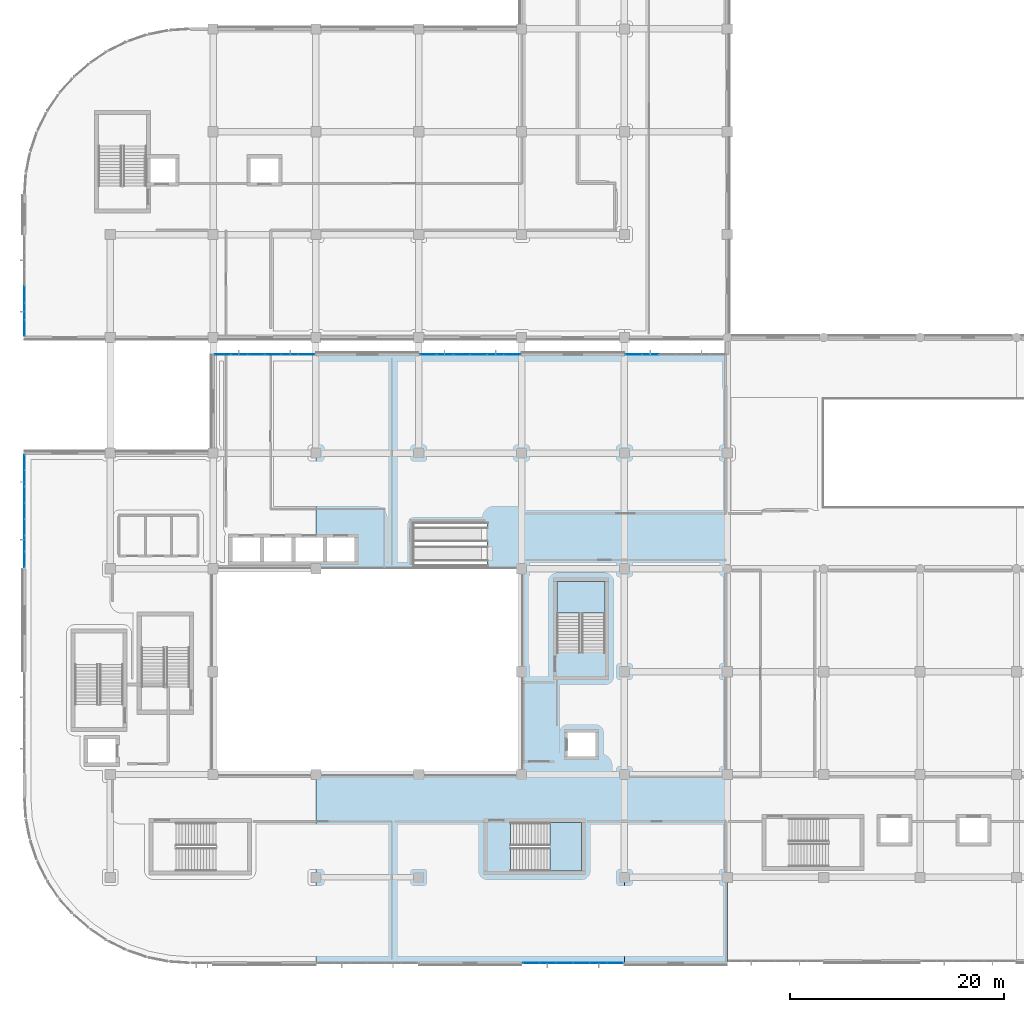
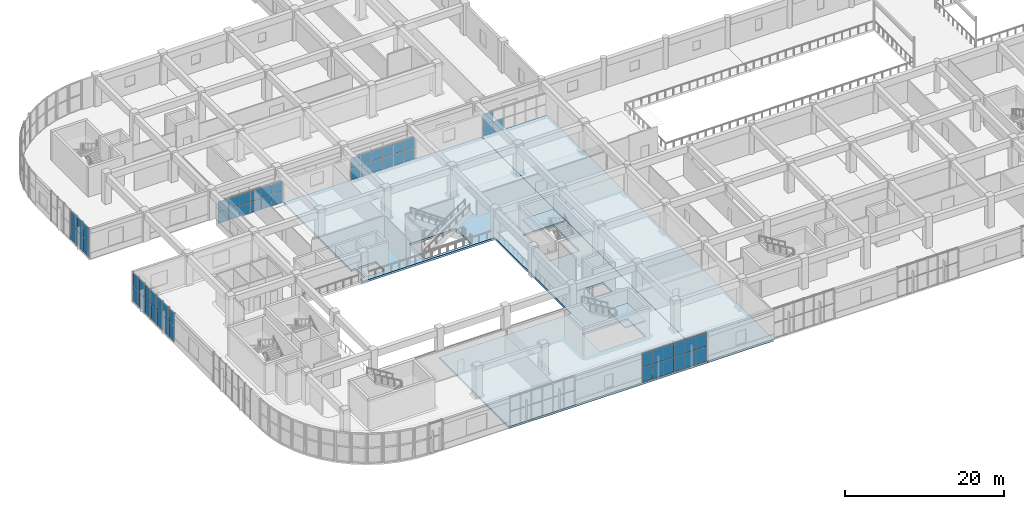
# One storey, part 44 of 86: 59 plates, 4 slabs, 8 elements without a shape of their own.
"""IFC4 building model written with IfcOpenShell, lengths in metres."""

from ifc_helpers import new_model, si_unit, direction, frame, origin, origin_2d, place, context, subcontext, project, spatial, polyline, rectangle, outline, extrude, material, layer, layer_set, type_object, element, aggregate, save


model = new_model("IFC4")

# Units and contexts
model_context = context("Model", 3, precision=1e-05, world=origin(), true_north=direction((0.0, 1.0)))
body_context = subcontext(model_context, "Body", "Model", "MODEL_VIEW")
ifc_project = project(units=[si_unit("LENGTHUNIT", "METRE"), si_unit("AREAUNIT", "SQUARE_METRE"), si_unit("VOLUMEUNIT", "CUBIC_METRE"), si_unit("PLANEANGLEUNIT", "RADIAN"), si_unit("MASSUNIT", "GRAM", prefix="KILO")], contexts=[model_context])

# Site, building, storey
site_placement = place(None, origin())
site = spatial("IfcSite", under=ifc_project, at=site_placement, CompositionType="ELEMENT")
building_placement = place(site_placement, origin())
building = spatial("IfcBuilding", under=site, at=building_placement, Name="Cendralis Terraced Arcade", CompositionType="ELEMENT")
storey_placement = place(building_placement, frame((0.0, 0.0, 5.39990234375)))
storey = spatial("IfcBuildingStorey", under=building, at=storey_placement, Name="L01", CompositionType="ELEMENT", Elevation=5.39990234375)

# Curtain wall, plates
ifc_material_1 = material(Name="Anodised aluminium EN AW-6063 T6", Category="aluminium")
ifc_layer_1 = layer(ifc_material_1, 0.1201171875, Name="CW-STORE-B")
ifc_layer_set_1 = layer_set([ifc_layer_1], Name="Anodised aluminium EN AW-6063 T6")
curtain_wall_type = type_object("IfcCurtainWallType", Name="CW-STORE-B", PredefinedType="USERDEFINED", material=ifc_layer_set_1)
curtain_wall_1_placement = place(storey_placement, origin())
curtain_wall_1 = element("IfcCurtainWall", 1, at=curtain_wall_1_placement, inside=storey, type_object=curtain_wall_type, Name="Exterior Storefront Glazing CW-L01-0037", ObjectType="STOREFRONT GLAZING", PredefinedType="USERDEFINED")
ifc_material_2 = material(Name="Tempered solar control laminated glass", Category="glass")
ifc_layer_2 = layer(ifc_material_2, 0.02392578125, Name="CW-STORE-B-PNL")
ifc_layer_set_2 = layer_set([ifc_layer_2], Name="Tempered solar control laminated glass")
plate_type = type_object("IfcPlateType", Name="CW-STORE-B-PNL", PredefinedType="CURTAIN_PANEL", material=ifc_layer_set_2)
plate_1_placement = place(storey_placement, frame((1.60009765625, 60.888671875, 0.05517578125), z_axis=(0.0, 0.0, 1.0), x_axis=(0.0, 1.0, 0.0)))
plate_1 = element("IfcPlate", 2, at=plate_1_placement, type_object=plate_type, Name="CW-S2 panel 1.1", PredefinedType="CURTAIN_PANEL", context=body_context, shape_type="SweptSolid", body=[
    extrude(rectangle(XDim=1.487548828125, YDim=0.02392578125, at=origin_2d()), origin(), (0.0, 0.0, 1.0), 2.260009765625),
])
plate_2_placement = place(storey_placement, frame((1.60009765625, 60.888671875, 2.3701171875), z_axis=(0.0, 0.0, 1.0), x_axis=(0.0, 1.0, 0.0)))
plate_2 = element("IfcPlate", 3, at=plate_2_placement, type_object=plate_type, Name="CW-S2 panel 1.2", PredefinedType="CURTAIN_PANEL", context=body_context, shape_type="SweptSolid", body=[
    extrude(rectangle(XDim=1.487548828125, YDim=0.02392578125, at=origin_2d()), origin(), (0.0, 0.0, 1.0), 2.079833984375),
])
plate_3_placement = place(storey_placement, frame((1.60009765625, 62.445068359375, 0.05517578125), z_axis=(0.0, 0.0, 1.0), x_axis=(0.0, 1.0, 0.0)))
plate_3 = element("IfcPlate", 4, at=plate_3_placement, type_object=plate_type, Name="CW-S2 panel 2.1", PredefinedType="CURTAIN_PANEL", context=body_context, shape_type="SweptSolid", body=[
    extrude(rectangle(XDim=1.514892578125, YDim=0.02392578125, at=origin_2d()), origin(), (0.0, 0.0, 1.0), 2.260009765625),
])
plate_4_placement = place(storey_placement, frame((1.60009765625, 62.445068359375, 2.3701171875), z_axis=(0.0, 0.0, 1.0), x_axis=(0.0, 1.0, 0.0)))
plate_4 = element("IfcPlate", 5, at=plate_4_placement, type_object=plate_type, Name="CW-S2 panel 2.2", PredefinedType="CURTAIN_PANEL", context=body_context, shape_type="SweptSolid", body=[
    extrude(rectangle(XDim=1.514892578125, YDim=0.02392578125, at=origin_2d()), origin(), (0.0, 0.0, 1.0), 2.079833984375),
])
plate_5_placement = place(storey_placement, frame((1.60009765625, 64.014892578125, 0.05517578125), z_axis=(0.0, 0.0, 1.0), x_axis=(0.0, 1.0, 0.0)))
plate_5 = element("IfcPlate", 6, at=plate_5_placement, type_object=plate_type, Name="CW-S2 panel 3.1", PredefinedType="CURTAIN_PANEL", context=body_context, shape_type="SweptSolid", body=[
    extrude(rectangle(XDim=1.514892578125, YDim=0.02392578125, at=origin_2d()), origin(), (0.0, 0.0, 1.0), 2.260009765625),
])
plate_6_placement = place(storey_placement, frame((1.60009765625, 64.014892578125, 2.3701171875), z_axis=(0.0, 0.0, 1.0), x_axis=(0.0, 1.0, 0.0)))
plate_6 = element("IfcPlate", 7, at=plate_6_placement, type_object=plate_type, Name="CW-S2 panel 3.2", PredefinedType="CURTAIN_PANEL", context=body_context, shape_type="SweptSolid", body=[
    extrude(rectangle(XDim=1.514892578125, YDim=0.02392578125, at=origin_2d()), origin(), (0.0, 0.0, 1.0), 2.079833984375),
])
aggregate(curtain_wall_1, [plate_1, plate_2, plate_3, plate_4, plate_5, plate_6])

curtain_wall_2_placement = place(storey_placement, origin())
curtain_wall_2 = element("IfcCurtainWall", 8, at=curtain_wall_2_placement, inside=storey, type_object=curtain_wall_type, Name="Exterior Storefront Glazing CW-L01-0093", ObjectType="STOREFRONT GLAZING", PredefinedType="USERDEFINED")
plate_7_placement = place(storey_placement, frame((56.711181640625, 1.60009765625, 0.05517578125), z_axis=(0.0, 0.0, 1.0), x_axis=(-1.0, 0.0, 0.0)))
plate_7 = element("IfcPlate", 9, at=plate_7_placement, type_object=plate_type, Name="CW-S2 panel 1.1", PredefinedType="CURTAIN_PANEL", context=body_context, shape_type="SweptSolid", body=[
    extrude(rectangle(XDim=1.487548828125, YDim=0.02392578125, at=origin_2d()), origin(), (0.0, 0.0, 1.0), 2.260009765625),
])
plate_8_placement = place(storey_placement, frame((56.711181640625, 1.60009765625, 2.3701171875), z_axis=(0.0, 0.0, 1.0), x_axis=(-1.0, 0.0, 0.0)))
plate_8 = element("IfcPlate", 10, at=plate_8_placement, type_object=plate_type, Name="CW-S2 panel 1.2", PredefinedType="CURTAIN_PANEL", context=body_context, shape_type="SweptSolid", body=[
    extrude(rectangle(XDim=1.487548828125, YDim=0.02392578125, at=origin_2d()), origin(), (0.0, 0.0, 1.0), 2.079833984375),
])
plate_9_placement = place(storey_placement, frame((55.155029296875, 1.60009765625, 0.05517578125), z_axis=(0.0, 0.0, 1.0), x_axis=(-1.0, 0.0, 0.0)))
plate_9 = element("IfcPlate", 11, at=plate_9_placement, type_object=plate_type, Name="CW-S2 panel 2.1", PredefinedType="CURTAIN_PANEL", context=body_context, shape_type="SweptSolid", body=[
    extrude(rectangle(XDim=1.514892578125, YDim=0.02392578125, at=origin_2d()), origin(), (0.0, 0.0, 1.0), 2.260009765625),
])
plate_10_placement = place(storey_placement, frame((55.155029296875, 1.60009765625, 2.3701171875), z_axis=(0.0, 0.0, 1.0), x_axis=(-1.0, 0.0, 0.0)))
plate_10 = element("IfcPlate", 12, at=plate_10_placement, type_object=plate_type, Name="CW-S2 panel 2.2", PredefinedType="CURTAIN_PANEL", context=body_context, shape_type="SweptSolid", body=[
    extrude(rectangle(XDim=1.514892578125, YDim=0.02392578125, at=origin_2d()), origin(), (0.0, 0.0, 1.0), 2.079833984375),
])
plate_11_placement = place(storey_placement, frame((53.5849609375, 1.60009765625, 0.05517578125), z_axis=(0.0, 0.0, 1.0), x_axis=(-1.0, 0.0, 0.0)))
plate_11 = element("IfcPlate", 13, at=plate_11_placement, type_object=plate_type, Name="CW-S2 panel 3.1", PredefinedType="CURTAIN_PANEL", context=body_context, shape_type="SweptSolid", body=[
    extrude(rectangle(XDim=1.514892578125, YDim=0.02392578125, at=origin_2d()), origin(), (0.0, 0.0, 1.0), 2.260009765625),
])
plate_12_placement = place(storey_placement, frame((53.5849609375, 1.60009765625, 2.3701171875), z_axis=(0.0, 0.0, 1.0), x_axis=(-1.0, 0.0, 0.0)))
plate_12 = element("IfcPlate", 14, at=plate_12_placement, type_object=plate_type, Name="CW-S2 panel 3.2", PredefinedType="CURTAIN_PANEL", context=body_context, shape_type="SweptSolid", body=[
    extrude(rectangle(XDim=1.514892578125, YDim=0.02392578125, at=origin_2d()), origin(), (0.0, 0.0, 1.0), 2.079833984375),
])
plate_13_placement = place(storey_placement, frame((52.014892578125, 1.60009765625, 0.05517578125), z_axis=(0.0, 0.0, 1.0), x_axis=(-1.0, 0.0, 0.0)))
plate_13 = element("IfcPlate", 15, at=plate_13_placement, type_object=plate_type, Name="CW-S2 panel 4.1", PredefinedType="CURTAIN_PANEL", context=body_context, shape_type="SweptSolid", body=[
    extrude(rectangle(XDim=1.514892578125, YDim=0.02392578125, at=origin_2d()), origin(), (0.0, 0.0, 1.0), 2.260009765625),
])
plate_14_placement = place(storey_placement, frame((52.014892578125, 1.60009765625, 2.3701171875), z_axis=(0.0, 0.0, 1.0), x_axis=(-1.0, 0.0, 0.0)))
plate_14 = element("IfcPlate", 16, at=plate_14_placement, type_object=plate_type, Name="CW-S2 panel 4.2", PredefinedType="CURTAIN_PANEL", context=body_context, shape_type="SweptSolid", body=[
    extrude(rectangle(XDim=1.514892578125, YDim=0.02392578125, at=origin_2d()), origin(), (0.0, 0.0, 1.0), 2.079833984375),
])
plate_15_placement = place(storey_placement, frame((50.445068359375, 1.60009765625, 0.05517578125), z_axis=(0.0, 0.0, 1.0), x_axis=(-1.0, 0.0, 0.0)))
plate_15 = element("IfcPlate", 17, at=plate_15_placement, type_object=plate_type, Name="CW-S2 panel 5.1", PredefinedType="CURTAIN_PANEL", context=body_context, shape_type="SweptSolid", body=[
    extrude(rectangle(XDim=1.514892578125, YDim=0.02392578125, at=origin_2d()), origin(), (0.0, 0.0, 1.0), 2.260009765625),
])
plate_16_placement = place(storey_placement, frame((50.445068359375, 1.60009765625, 2.3701171875), z_axis=(0.0, 0.0, 1.0), x_axis=(-1.0, 0.0, 0.0)))
plate_16 = element("IfcPlate", 18, at=plate_16_placement, type_object=plate_type, Name="CW-S2 panel 5.2", PredefinedType="CURTAIN_PANEL", context=body_context, shape_type="SweptSolid", body=[
    extrude(rectangle(XDim=1.514892578125, YDim=0.02392578125, at=origin_2d()), origin(), (0.0, 0.0, 1.0), 2.079833984375),
])
plate_17_placement = place(storey_placement, frame((48.888671875, 1.60009765625, 0.05517578125), z_axis=(0.0, 0.0, 1.0), x_axis=(-1.0, 0.0, 0.0)))
plate_17 = element("IfcPlate", 19, at=plate_17_placement, type_object=plate_type, Name="CW-S2 panel 6.1", PredefinedType="CURTAIN_PANEL", context=body_context, shape_type="SweptSolid", body=[
    extrude(rectangle(XDim=1.487548828125, YDim=0.02392578125, at=origin_2d()), origin(), (0.0, 0.0, 1.0), 2.260009765625),
])
plate_18_placement = place(storey_placement, frame((48.888671875, 1.60009765625, 2.3701171875), z_axis=(0.0, 0.0, 1.0), x_axis=(-1.0, 0.0, 0.0)))
plate_18 = element("IfcPlate", 20, at=plate_18_placement, type_object=plate_type, Name="CW-S2 panel 6.2", PredefinedType="CURTAIN_PANEL", context=body_context, shape_type="SweptSolid", body=[
    extrude(rectangle(XDim=1.487548828125, YDim=0.02392578125, at=origin_2d()), origin(), (0.0, 0.0, 1.0), 2.079833984375),
])
aggregate(curtain_wall_2, [plate_7, plate_8, plate_9, plate_10, plate_11, plate_12, plate_13, plate_14, plate_15, plate_16, plate_17, plate_18])

curtain_wall_3_placement = place(storey_placement, origin())
curtain_wall_3 = element("IfcCurtainWall", 21, at=curtain_wall_3_placement, inside=storey, type_object=curtain_wall_type, Name="Exterior Storefront Glazing CW-L01-0109", ObjectType="STOREFRONT GLAZING", PredefinedType="USERDEFINED")
plate_19_placement = place(storey_placement, frame((1.60009765625, 39.26220703125, 0.05517578125), z_axis=(0.0, 0.0, 1.0), x_axis=(0.0, 1.0, 0.0)))
plate_19 = element("IfcPlate", 22, at=plate_19_placement, type_object=plate_type, Name="CW-S2 panel 1.1", PredefinedType="CURTAIN_PANEL", context=body_context, shape_type="SweptSolid", body=[
    extrude(rectangle(XDim=1.4345703125, YDim=0.02392578125, at=origin_2d()), origin(), (0.0, 0.0, 1.0), 2.260009765625),
])
plate_20_placement = place(storey_placement, frame((1.60009765625, 39.26220703125, 2.3701171875), z_axis=(0.0, 0.0, 1.0), x_axis=(0.0, 1.0, 0.0)))
plate_20 = element("IfcPlate", 23, at=plate_20_placement, type_object=plate_type, Name="CW-S2 panel 1.2", PredefinedType="CURTAIN_PANEL", context=body_context, shape_type="SweptSolid", body=[
    extrude(rectangle(XDim=1.4345703125, YDim=0.02392578125, at=origin_2d()), origin(), (0.0, 0.0, 1.0), 2.079833984375),
])
plate_21_placement = place(storey_placement, frame((1.60009765625, 40.765625, 0.05517578125), z_axis=(0.0, 0.0, 1.0), x_axis=(0.0, 1.0, 0.0)))
plate_21 = element("IfcPlate", 24, at=plate_21_placement, type_object=plate_type, Name="CW-S2 panel 2.1", PredefinedType="CURTAIN_PANEL", context=body_context, shape_type="SweptSolid", body=[
    extrude(rectangle(XDim=1.462158203125, YDim=0.02392578125, at=origin_2d()), origin(), (0.0, 0.0, 1.0), 2.260009765625),
])
plate_22_placement = place(storey_placement, frame((1.60009765625, 40.765625, 2.3701171875), z_axis=(0.0, 0.0, 1.0), x_axis=(0.0, 1.0, 0.0)))
plate_22 = element("IfcPlate", 25, at=plate_22_placement, type_object=plate_type, Name="CW-S2 panel 2.2", PredefinedType="CURTAIN_PANEL", context=body_context, shape_type="SweptSolid", body=[
    extrude(rectangle(XDim=1.462158203125, YDim=0.02392578125, at=origin_2d()), origin(), (0.0, 0.0, 1.0), 2.079833984375),
])
plate_23_placement = place(storey_placement, frame((1.60009765625, 42.282958984375, 0.05517578125), z_axis=(0.0, 0.0, 1.0), x_axis=(0.0, 1.0, 0.0)))
plate_23 = element("IfcPlate", 26, at=plate_23_placement, type_object=plate_type, Name="CW-S2 panel 3.1", PredefinedType="CURTAIN_PANEL", context=body_context, shape_type="SweptSolid", body=[
    extrude(rectangle(XDim=1.462158203125, YDim=0.02392578125, at=origin_2d()), origin(), (0.0, 0.0, 1.0), 2.260009765625),
])
plate_24_placement = place(storey_placement, frame((1.60009765625, 42.282958984375, 2.3701171875), z_axis=(0.0, 0.0, 1.0), x_axis=(0.0, 1.0, 0.0)))
plate_24 = element("IfcPlate", 27, at=plate_24_placement, type_object=plate_type, Name="CW-S2 panel 3.2", PredefinedType="CURTAIN_PANEL", context=body_context, shape_type="SweptSolid", body=[
    extrude(rectangle(XDim=1.462158203125, YDim=0.02392578125, at=origin_2d()), origin(), (0.0, 0.0, 1.0), 2.079833984375),
])
plate_25_placement = place(storey_placement, frame((1.60009765625, 43.800048828125, 0.05517578125), z_axis=(0.0, 0.0, 1.0), x_axis=(0.0, 1.0, 0.0)))
plate_25 = element("IfcPlate", 28, at=plate_25_placement, type_object=plate_type, Name="CW-S2 panel 4.1", PredefinedType="CURTAIN_PANEL", context=body_context, shape_type="SweptSolid", body=[
    extrude(rectangle(XDim=1.462158203125, YDim=0.02392578125, at=origin_2d()), origin(), (0.0, 0.0, 1.0), 2.260009765625),
])
plate_26_placement = place(storey_placement, frame((1.60009765625, 43.800048828125, 2.3701171875), z_axis=(0.0, 0.0, 1.0), x_axis=(0.0, 1.0, 0.0)))
plate_26 = element("IfcPlate", 29, at=plate_26_placement, type_object=plate_type, Name="CW-S2 panel 4.2", PredefinedType="CURTAIN_PANEL", context=body_context, shape_type="SweptSolid", body=[
    extrude(rectangle(XDim=1.462158203125, YDim=0.02392578125, at=origin_2d()), origin(), (0.0, 0.0, 1.0), 2.079833984375),
])
plate_27_placement = place(storey_placement, frame((1.60009765625, 45.317138671875, 0.05517578125), z_axis=(0.0, 0.0, 1.0), x_axis=(0.0, 1.0, 0.0)))
plate_27 = element("IfcPlate", 30, at=plate_27_placement, type_object=plate_type, Name="CW-S2 panel 5.1", PredefinedType="CURTAIN_PANEL", context=body_context, shape_type="SweptSolid", body=[
    extrude(rectangle(XDim=1.462158203125, YDim=0.02392578125, at=origin_2d()), origin(), (0.0, 0.0, 1.0), 2.260009765625),
])
plate_28_placement = place(storey_placement, frame((1.60009765625, 45.317138671875, 2.3701171875), z_axis=(0.0, 0.0, 1.0), x_axis=(0.0, 1.0, 0.0)))
plate_28 = element("IfcPlate", 31, at=plate_28_placement, type_object=plate_type, Name="CW-S2 panel 5.2", PredefinedType="CURTAIN_PANEL", context=body_context, shape_type="SweptSolid", body=[
    extrude(rectangle(XDim=1.462158203125, YDim=0.02392578125, at=origin_2d()), origin(), (0.0, 0.0, 1.0), 2.079833984375),
])
plate_29_placement = place(storey_placement, frame((1.60009765625, 46.834228515625, 0.05517578125), z_axis=(0.0, 0.0, 1.0), x_axis=(0.0, 1.0, 0.0)))
plate_29 = element("IfcPlate", 32, at=plate_29_placement, type_object=plate_type, Name="CW-S2 panel 6.1", PredefinedType="CURTAIN_PANEL", context=body_context, shape_type="SweptSolid", body=[
    extrude(rectangle(XDim=1.462158203125, YDim=0.02392578125, at=origin_2d()), origin(), (0.0, 0.0, 1.0), 2.260009765625),
])
plate_30_placement = place(storey_placement, frame((1.60009765625, 46.834228515625, 2.3701171875), z_axis=(0.0, 0.0, 1.0), x_axis=(0.0, 1.0, 0.0)))
plate_30 = element("IfcPlate", 33, at=plate_30_placement, type_object=plate_type, Name="CW-S2 panel 6.2", PredefinedType="CURTAIN_PANEL", context=body_context, shape_type="SweptSolid", body=[
    extrude(rectangle(XDim=1.462158203125, YDim=0.02392578125, at=origin_2d()), origin(), (0.0, 0.0, 1.0), 2.079833984375),
])
plate_31_placement = place(storey_placement, frame((1.60009765625, 48.337646484375, 0.05517578125), z_axis=(0.0, 0.0, 1.0), x_axis=(0.0, 1.0, 0.0)))
plate_31 = element("IfcPlate", 34, at=plate_31_placement, type_object=plate_type, Name="CW-S2 panel 7.1", PredefinedType="CURTAIN_PANEL", context=body_context, shape_type="SweptSolid", body=[
    extrude(rectangle(XDim=1.4345703125, YDim=0.02392578125, at=origin_2d()), origin(), (0.0, 0.0, 1.0), 2.260009765625),
])
plate_32_placement = place(storey_placement, frame((1.60009765625, 48.337646484375, 2.3701171875), z_axis=(0.0, 0.0, 1.0), x_axis=(0.0, 1.0, 0.0)))
plate_32 = element("IfcPlate", 35, at=plate_32_placement, type_object=plate_type, Name="CW-S2 panel 7.2", PredefinedType="CURTAIN_PANEL", context=body_context, shape_type="SweptSolid", body=[
    extrude(rectangle(XDim=1.4345703125, YDim=0.02392578125, at=origin_2d()), origin(), (0.0, 0.0, 1.0), 2.079833984375),
])
aggregate(curtain_wall_3, [plate_19, plate_20, plate_21, plate_22, plate_23, plate_24, plate_25, plate_26, plate_27, plate_28, plate_29, plate_30, plate_31, plate_32])

curtain_wall_4_placement = place(storey_placement, origin())
curtain_wall_4 = element("IfcCurtainWall", 36, at=curtain_wall_4_placement, inside=storey, type_object=curtain_wall_type, Name="Exterior Storefront Glazing CW-L01-0110", ObjectType="STOREFRONT GLAZING", PredefinedType="USERDEFINED")
plate_33_placement = place(storey_placement, frame((20.0888671875, 58.39990234375, 0.05517578125), z_axis=(0.0, 0.0, 1.0), x_axis=(1.0, 0.0, 0.0)))
plate_33 = element("IfcPlate", 37, at=plate_33_placement, type_object=plate_type, Name="CW-S2 panel 1.1", PredefinedType="CURTAIN_PANEL", context=body_context, shape_type="SweptSolid", body=[
    extrude(rectangle(XDim=1.487548828125, YDim=0.02392578125, at=origin_2d()), origin(), (0.0, 0.0, 1.0), 1.708984375),
])
plate_34_placement = place(storey_placement, frame((20.0888671875, 58.39990234375, 1.81884765625), z_axis=(0.0, 0.0, 1.0), x_axis=(1.0, 0.0, 0.0)))
plate_34 = element("IfcPlate", 38, at=plate_34_placement, type_object=plate_type, Name="CW-S2 panel 1.2", PredefinedType="CURTAIN_PANEL", context=body_context, shape_type="SweptSolid", body=[
    extrude(rectangle(XDim=1.487548828125, YDim=0.02392578125, at=origin_2d()), origin(), (0.0, 0.0, 1.0), 1.571044921875),
])
plate_35_placement = place(storey_placement, frame((21.64501953125, 58.39990234375, 0.05517578125), z_axis=(0.0, 0.0, 1.0), x_axis=(1.0, 0.0, 0.0)))
plate_35 = element("IfcPlate", 39, at=plate_35_placement, type_object=plate_type, Name="CW-S2 panel 2.1", PredefinedType="CURTAIN_PANEL", context=body_context, shape_type="SweptSolid", body=[
    extrude(rectangle(XDim=1.514892578125, YDim=0.02392578125, at=origin_2d()), origin(), (0.0, 0.0, 1.0), 1.708984375),
])
plate_36_placement = place(storey_placement, frame((21.64501953125, 58.39990234375, 1.81884765625), z_axis=(0.0, 0.0, 1.0), x_axis=(1.0, 0.0, 0.0)))
plate_36 = element("IfcPlate", 40, at=plate_36_placement, type_object=plate_type, Name="CW-S2 panel 2.2", PredefinedType="CURTAIN_PANEL", context=body_context, shape_type="SweptSolid", body=[
    extrude(rectangle(XDim=1.514892578125, YDim=0.02392578125, at=origin_2d()), origin(), (0.0, 0.0, 1.0), 1.571044921875),
])
plate_37_placement = place(storey_placement, frame((23.215087890625, 58.39990234375, 0.05517578125), z_axis=(0.0, 0.0, 1.0), x_axis=(1.0, 0.0, 0.0)))
plate_37 = element("IfcPlate", 41, at=plate_37_placement, type_object=plate_type, Name="CW-S2 panel 3.1", PredefinedType="CURTAIN_PANEL", context=body_context, shape_type="SweptSolid", body=[
    extrude(rectangle(XDim=1.514892578125, YDim=0.02392578125, at=origin_2d()), origin(), (0.0, 0.0, 1.0), 1.708984375),
])
plate_38_placement = place(storey_placement, frame((23.215087890625, 58.39990234375, 1.81884765625), z_axis=(0.0, 0.0, 1.0), x_axis=(1.0, 0.0, 0.0)))
plate_38 = element("IfcPlate", 42, at=plate_38_placement, type_object=plate_type, Name="CW-S2 panel 3.2", PredefinedType="CURTAIN_PANEL", context=body_context, shape_type="SweptSolid", body=[
    extrude(rectangle(XDim=1.514892578125, YDim=0.02392578125, at=origin_2d()), origin(), (0.0, 0.0, 1.0), 1.571044921875),
])
plate_39_placement = place(storey_placement, frame((24.784912109375, 58.39990234375, 0.05517578125), z_axis=(0.0, 0.0, 1.0), x_axis=(1.0, 0.0, 0.0)))
plate_39 = element("IfcPlate", 43, at=plate_39_placement, type_object=plate_type, Name="CW-S2 panel 4.1", PredefinedType="CURTAIN_PANEL", context=body_context, shape_type="SweptSolid", body=[
    extrude(rectangle(XDim=1.514892578125, YDim=0.02392578125, at=origin_2d()), origin(), (0.0, 0.0, 1.0), 1.708984375),
])
plate_40_placement = place(storey_placement, frame((24.784912109375, 58.39990234375, 1.81884765625), z_axis=(0.0, 0.0, 1.0), x_axis=(1.0, 0.0, 0.0)))
plate_40 = element("IfcPlate", 44, at=plate_40_placement, type_object=plate_type, Name="CW-S2 panel 4.2", PredefinedType="CURTAIN_PANEL", context=body_context, shape_type="SweptSolid", body=[
    extrude(rectangle(XDim=1.514892578125, YDim=0.02392578125, at=origin_2d()), origin(), (0.0, 0.0, 1.0), 1.571044921875),
])
plate_41_placement = place(storey_placement, frame((26.35498046875, 58.39990234375, 0.05517578125), z_axis=(0.0, 0.0, 1.0), x_axis=(1.0, 0.0, 0.0)))
plate_41 = element("IfcPlate", 45, at=plate_41_placement, type_object=plate_type, Name="CW-S2 panel 5.1", PredefinedType="CURTAIN_PANEL", context=body_context, shape_type="SweptSolid", body=[
    extrude(rectangle(XDim=1.514892578125, YDim=0.02392578125, at=origin_2d()), origin(), (0.0, 0.0, 1.0), 1.708984375),
])
plate_42_placement = place(storey_placement, frame((26.35498046875, 58.39990234375, 1.81884765625), z_axis=(0.0, 0.0, 1.0), x_axis=(1.0, 0.0, 0.0)))
plate_42 = element("IfcPlate", 46, at=plate_42_placement, type_object=plate_type, Name="CW-S2 panel 5.2", PredefinedType="CURTAIN_PANEL", context=body_context, shape_type="SweptSolid", body=[
    extrude(rectangle(XDim=1.514892578125, YDim=0.02392578125, at=origin_2d()), origin(), (0.0, 0.0, 1.0), 1.571044921875),
])
plate_43_placement = place(storey_placement, frame((27.9111328125, 58.39990234375, 0.05517578125), z_axis=(0.0, 0.0, 1.0), x_axis=(1.0, 0.0, 0.0)))
plate_43 = element("IfcPlate", 47, at=plate_43_placement, type_object=plate_type, Name="CW-S2 panel 6.1", PredefinedType="CURTAIN_PANEL", context=body_context, shape_type="SweptSolid", body=[
    extrude(rectangle(XDim=1.487548828125, YDim=0.02392578125, at=origin_2d()), origin(), (0.0, 0.0, 1.0), 1.708984375),
])
plate_44_placement = place(storey_placement, frame((27.9111328125, 58.39990234375, 1.81884765625), z_axis=(0.0, 0.0, 1.0), x_axis=(1.0, 0.0, 0.0)))
plate_44 = element("IfcPlate", 48, at=plate_44_placement, type_object=plate_type, Name="CW-S2 panel 6.2", PredefinedType="CURTAIN_PANEL", context=body_context, shape_type="SweptSolid", body=[
    extrude(rectangle(XDim=1.487548828125, YDim=0.02392578125, at=origin_2d()), origin(), (0.0, 0.0, 1.0), 1.571044921875),
])
aggregate(curtain_wall_4, [plate_33, plate_34, plate_35, plate_36, plate_37, plate_38, plate_39, plate_40, plate_41, plate_42, plate_43, plate_44])

curtain_wall_5_placement = place(storey_placement, origin())
curtain_wall_5 = element("IfcCurtainWall", 49, at=curtain_wall_5_placement, inside=storey, type_object=curtain_wall_type, Name="Exterior Storefront Glazing CW-L01-0111", ObjectType="STOREFRONT GLAZING", PredefinedType="USERDEFINED")
plate_45_placement = place(storey_placement, frame((39.288818359375, 58.39990234375, 0.05517578125), z_axis=(0.0, 0.0, 1.0), x_axis=(1.0, 0.0, 0.0)))
plate_45 = element("IfcPlate", 50, at=plate_45_placement, type_object=plate_type, Name="CW-S2 panel 1.1", PredefinedType="CURTAIN_PANEL", context=body_context, shape_type="SweptSolid", body=[
    extrude(rectangle(XDim=1.487548828125, YDim=0.02392578125, at=origin_2d()), origin(), (0.0, 0.0, 1.0), 1.708984375),
])
plate_46_placement = place(storey_placement, frame((39.288818359375, 58.39990234375, 1.81884765625), z_axis=(0.0, 0.0, 1.0), x_axis=(1.0, 0.0, 0.0)))
plate_46 = element("IfcPlate", 51, at=plate_46_placement, type_object=plate_type, Name="CW-S2 panel 1.2", PredefinedType="CURTAIN_PANEL", context=body_context, shape_type="SweptSolid", body=[
    extrude(rectangle(XDim=1.487548828125, YDim=0.02392578125, at=origin_2d()), origin(), (0.0, 0.0, 1.0), 1.571044921875),
])
plate_47_placement = place(storey_placement, frame((40.844970703125, 58.39990234375, 0.05517578125), z_axis=(0.0, 0.0, 1.0), x_axis=(1.0, 0.0, 0.0)))
plate_47 = element("IfcPlate", 52, at=plate_47_placement, type_object=plate_type, Name="CW-S2 panel 2.1", PredefinedType="CURTAIN_PANEL", context=body_context, shape_type="SweptSolid", body=[
    extrude(rectangle(XDim=1.514892578125, YDim=0.02392578125, at=origin_2d()), origin(), (0.0, 0.0, 1.0), 1.708984375),
])
plate_48_placement = place(storey_placement, frame((40.844970703125, 58.39990234375, 1.81884765625), z_axis=(0.0, 0.0, 1.0), x_axis=(1.0, 0.0, 0.0)))
plate_48 = element("IfcPlate", 53, at=plate_48_placement, type_object=plate_type, Name="CW-S2 panel 2.2", PredefinedType="CURTAIN_PANEL", context=body_context, shape_type="SweptSolid", body=[
    extrude(rectangle(XDim=1.514892578125, YDim=0.02392578125, at=origin_2d()), origin(), (0.0, 0.0, 1.0), 1.571044921875),
])
plate_49_placement = place(storey_placement, frame((42.4150390625, 58.39990234375, 0.05517578125), z_axis=(0.0, 0.0, 1.0), x_axis=(1.0, 0.0, 0.0)))
plate_49 = element("IfcPlate", 54, at=plate_49_placement, type_object=plate_type, Name="CW-S2 panel 3.1", PredefinedType="CURTAIN_PANEL", context=body_context, shape_type="SweptSolid", body=[
    extrude(rectangle(XDim=1.514892578125, YDim=0.02392578125, at=origin_2d()), origin(), (0.0, 0.0, 1.0), 1.708984375),
])
plate_50_placement = place(storey_placement, frame((42.4150390625, 58.39990234375, 1.81884765625), z_axis=(0.0, 0.0, 1.0), x_axis=(1.0, 0.0, 0.0)))
plate_50 = element("IfcPlate", 55, at=plate_50_placement, type_object=plate_type, Name="CW-S2 panel 3.2", PredefinedType="CURTAIN_PANEL", context=body_context, shape_type="SweptSolid", body=[
    extrude(rectangle(XDim=1.514892578125, YDim=0.02392578125, at=origin_2d()), origin(), (0.0, 0.0, 1.0), 1.571044921875),
])
plate_51_placement = place(storey_placement, frame((43.985107421875, 58.39990234375, 0.05517578125), z_axis=(0.0, 0.0, 1.0), x_axis=(1.0, 0.0, 0.0)))
plate_51 = element("IfcPlate", 56, at=plate_51_placement, type_object=plate_type, Name="CW-S2 panel 4.1", PredefinedType="CURTAIN_PANEL", context=body_context, shape_type="SweptSolid", body=[
    extrude(rectangle(XDim=1.514892578125, YDim=0.02392578125, at=origin_2d()), origin(), (0.0, 0.0, 1.0), 1.708984375),
])
plate_52_placement = place(storey_placement, frame((43.985107421875, 58.39990234375, 1.81884765625), z_axis=(0.0, 0.0, 1.0), x_axis=(1.0, 0.0, 0.0)))
plate_52 = element("IfcPlate", 57, at=plate_52_placement, type_object=plate_type, Name="CW-S2 panel 4.2", PredefinedType="CURTAIN_PANEL", context=body_context, shape_type="SweptSolid", body=[
    extrude(rectangle(XDim=1.514892578125, YDim=0.02392578125, at=origin_2d()), origin(), (0.0, 0.0, 1.0), 1.571044921875),
])
plate_53_placement = place(storey_placement, frame((45.554931640625, 58.39990234375, 0.05517578125), z_axis=(0.0, 0.0, 1.0), x_axis=(1.0, 0.0, 0.0)))
plate_53 = element("IfcPlate", 58, at=plate_53_placement, type_object=plate_type, Name="CW-S2 panel 5.1", PredefinedType="CURTAIN_PANEL", context=body_context, shape_type="SweptSolid", body=[
    extrude(rectangle(XDim=1.514892578125, YDim=0.02392578125, at=origin_2d()), origin(), (0.0, 0.0, 1.0), 1.708984375),
])
plate_54_placement = place(storey_placement, frame((45.554931640625, 58.39990234375, 1.81884765625), z_axis=(0.0, 0.0, 1.0), x_axis=(1.0, 0.0, 0.0)))
plate_54 = element("IfcPlate", 59, at=plate_54_placement, type_object=plate_type, Name="CW-S2 panel 5.2", PredefinedType="CURTAIN_PANEL", context=body_context, shape_type="SweptSolid", body=[
    extrude(rectangle(XDim=1.514892578125, YDim=0.02392578125, at=origin_2d()), origin(), (0.0, 0.0, 1.0), 1.571044921875),
])
plate_55_placement = place(storey_placement, frame((47.111328125, 58.39990234375, 0.05517578125), z_axis=(0.0, 0.0, 1.0), x_axis=(1.0, 0.0, 0.0)))
plate_55 = element("IfcPlate", 60, at=plate_55_placement, type_object=plate_type, Name="CW-S2 panel 6.1", PredefinedType="CURTAIN_PANEL", context=body_context, shape_type="SweptSolid", body=[
    extrude(rectangle(XDim=1.487548828125, YDim=0.02392578125, at=origin_2d()), origin(), (0.0, 0.0, 1.0), 1.708984375),
])
plate_56_placement = place(storey_placement, frame((47.111328125, 58.39990234375, 1.81884765625), z_axis=(0.0, 0.0, 1.0), x_axis=(1.0, 0.0, 0.0)))
plate_56 = element("IfcPlate", 61, at=plate_56_placement, type_object=plate_type, Name="CW-S2 panel 6.2", PredefinedType="CURTAIN_PANEL", context=body_context, shape_type="SweptSolid", body=[
    extrude(rectangle(XDim=1.487548828125, YDim=0.02392578125, at=origin_2d()), origin(), (0.0, 0.0, 1.0), 1.571044921875),
])
aggregate(curtain_wall_5, [plate_45, plate_46, plate_47, plate_48, plate_49, plate_50, plate_51, plate_52, plate_53, plate_54, plate_55, plate_56])

curtain_wall_6_placement = place(storey_placement, origin())
curtain_wall_6 = element("IfcCurtainWall", 62, at=curtain_wall_6_placement, inside=storey, type_object=curtain_wall_type, Name="Exterior Storefront Glazing CW-L01-0112", ObjectType="STOREFRONT GLAZING", PredefinedType="USERDEFINED")
plate_57_placement = place(storey_placement, frame((58.48876953125, 58.39990234375, 0.05517578125), z_axis=(0.0, 0.0, 1.0), x_axis=(1.0, 0.0, 0.0)))
plate_57 = element("IfcPlate", 63, at=plate_57_placement, type_object=plate_type, Name="CW-S2 panel 1.1", PredefinedType="CURTAIN_PANEL", context=body_context, shape_type="SweptSolid", body=[
    extrude(rectangle(XDim=1.487548828125, YDim=0.02392578125, at=origin_2d()), origin(), (0.0, 0.0, 1.0), 1.708984375),
])
plate_58_placement = place(storey_placement, frame((58.48876953125, 58.39990234375, 1.81884765625), z_axis=(0.0, 0.0, 1.0), x_axis=(1.0, 0.0, 0.0)))
plate_58 = element("IfcPlate", 64, at=plate_58_placement, type_object=plate_type, Name="CW-S2 panel 1.2", PredefinedType="CURTAIN_PANEL", context=body_context, shape_type="SweptSolid", body=[
    extrude(rectangle(XDim=1.487548828125, YDim=0.02392578125, at=origin_2d()), origin(), (0.0, 0.0, 1.0), 1.571044921875),
])
plate_59_placement = place(storey_placement, frame((60.044921875, 58.39990234375, 0.05517578125), z_axis=(0.0, 0.0, 1.0), x_axis=(1.0, 0.0, 0.0)))
plate_59 = element("IfcPlate", 65, at=plate_59_placement, type_object=plate_type, Name="CW-S2 panel 2.1", PredefinedType="CURTAIN_PANEL", context=body_context, shape_type="SweptSolid", body=[
    extrude(rectangle(XDim=1.514892578125, YDim=0.02392578125, at=origin_2d()), origin(), (0.0, 0.0, 1.0), 1.708984375),
])
aggregate(curtain_wall_6, [plate_57, plate_58, plate_59])

# Slabs
ifc_material_3 = material(Name="Concrete f'c 35 MPa", Category="concrete")
ifc_layer_3 = layer(ifc_material_3, 0.31005859375, Name="SLB-L01-310")
ifc_layer_set_3 = layer_set([ifc_layer_3], Name="Concrete f'c 35 MPa")
slab_type_1 = type_object("IfcSlabType", Name="SLB-L01-310", PredefinedType="FLOOR", material=ifc_layer_set_3)
slab_1_placement = place(storey_placement, frame((0.0, 0.0, -0.309814453125)))
element("IfcSlab", 66, at=slab_1_placement, inside=storey, type_object=slab_type_1, Name="Reinforced Concrete Floor Slab SLB-L01-V1-W2-1", PredefinedType="FLOOR", context=body_context, shape_type="SweptSolid", body=[
    extrude(outline(polyline([(28.820068359375, 1.60009765625), (28.820068359375, 19.199951171875), (48.0, 19.199951171875), (48.0, 38.39990234375), (28.820068359375, 38.39990234375), (28.820068359375, 39.074951171875), (29.47998046875, 39.074951171875), (29.47998046875, 41.324951171875), (28.820068359375, 41.324951171875), (28.820068359375, 58.39990234375), (57.60009765625, 58.39990234375), (57.60009765625, 1.60009765625), (28.820068359375, 1.60009765625)]), holes=[polyline([(53.60009765625, 14.699951171875), (46.97998046875, 14.699951171875), (46.97998046875, 10.199951171875), (53.60009765625, 10.199951171875), (53.60009765625, 14.699951171875)]), polyline([(32.419921875, 41.324951171875), (29.820068359375, 41.324951171875), (29.820068359375, 39.074951171875), (32.419921875, 39.074951171875), (32.419921875, 41.324951171875)]), polyline([(44.77490234375, 42.60009765625), (38.02490234375, 42.60009765625), (38.02490234375, 38.800048828125), (44.77490234375, 38.800048828125), (44.77490234375, 42.60009765625)]), polyline([(54.89990234375, 23.10009765625), (52.300048828125, 23.10009765625), (52.300048828125, 20.89990234375), (54.89990234375, 20.89990234375), (54.89990234375, 23.10009765625)]), polyline([(55.800048828125, 37.199951171875), (51.300048828125, 37.199951171875), (51.300048828125, 30.580078125), (55.800048828125, 30.580078125), (55.800048828125, 37.199951171875)])]), origin(), (0.0, 0.0, 1.0), 0.309814453125),
])
slab_2_placement = place(storey_placement, frame((0.0, 0.0, -0.309814453125)))
element("IfcSlab", 67, at=slab_2_placement, inside=storey, type_object=slab_type_1, Name="Reinforced Concrete Floor Slab SLB-L01-V1-C1-1", PredefinedType="FLOOR", context=body_context, shape_type="SweptSolid", body=[
    extrude(outline(polyline([(57.6201171875, 1.60009765625), (57.6201171875, 58.39990234375), (67.199951171875, 58.39990234375), (67.199951171875, 1.60009765625), (57.6201171875, 1.60009765625)])), origin(), (0.0, 0.0, 1.0), 0.309814453125),
])

# Stair, slab
stair_type = type_object("IfcStairType", Name="STR-W215-H480", PredefinedType="HALF_TURN_STAIR", material=ifc_material_3)
stair_1_placement = place(storey_placement, origin())
stair_1 = element("IfcStair", 68, at=stair_1_placement, inside=storey, type_object=stair_type, Name="L01 Protected Exit Stair ST-03", PredefinedType="HALF_TURN_STAIR")
ifc_layer_4 = layer(ifc_material_3, 0.199951171875, Name="SLB-STAIR-LND-200")
ifc_layer_set_4 = layer_set([ifc_layer_4], Name="Concrete f'c 35 MPa")
slab_type_2 = type_object("IfcSlabType", Name="SLB-STAIR-LND-200", PredefinedType="LANDING", material=ifc_layer_set_4)
slab_3_placement = place(storey_placement, frame((0.0, 0.0, 2.2001953125)))
slab_3 = element("IfcSlab", 69, at=slab_3_placement, type_object=slab_type_2, Name="ST-03 landing 1", PredefinedType="LANDING", context=body_context, shape_type="SweptSolid", body=[
    extrude(outline(polyline([(50.655029296875, 10.199951171875), (53.60009765625, 10.199951171875), (53.60009765625, 14.699951171875), (50.655029296875, 14.699951171875), (50.655029296875, 10.199951171875)])), origin(), (0.0, 0.0, 1.0), 0.199951171875),
])
aggregate(stair_1, [slab_3])

stair_2_placement = place(storey_placement, origin())
stair_2 = element("IfcStair", 70, at=stair_2_placement, inside=storey, type_object=stair_type, Name="L01 Protected Exit Stair ST-04", PredefinedType="HALF_TURN_STAIR")
slab_4_placement = place(storey_placement, frame((0.0, 0.0, 2.2001953125)))
slab_4 = element("IfcSlab", 71, at=slab_4_placement, type_object=slab_type_2, Name="ST-04 landing 1", PredefinedType="LANDING", context=body_context, shape_type="SweptSolid", body=[
    extrude(outline(polyline([(55.800048828125, 34.2548828125), (55.800048828125, 37.199951171875), (51.300048828125, 37.199951171875), (51.300048828125, 34.2548828125), (55.800048828125, 34.2548828125)])), origin(), (0.0, 0.0, 1.0), 0.199951171875),
])
aggregate(stair_2, [slab_4])

save(model, "model.ifc")
